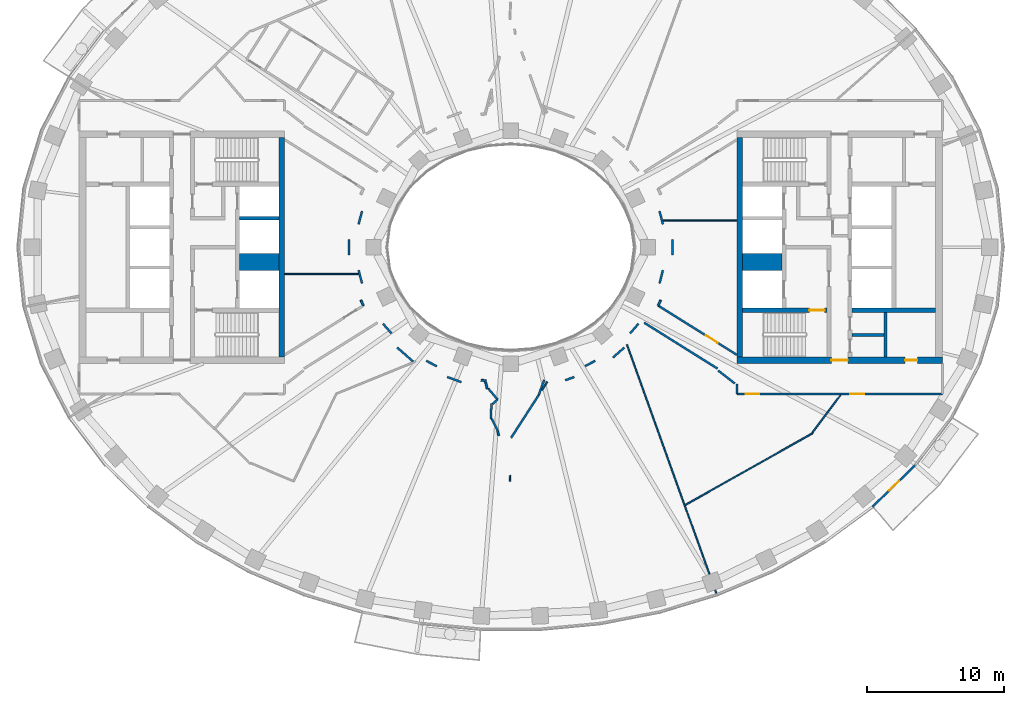
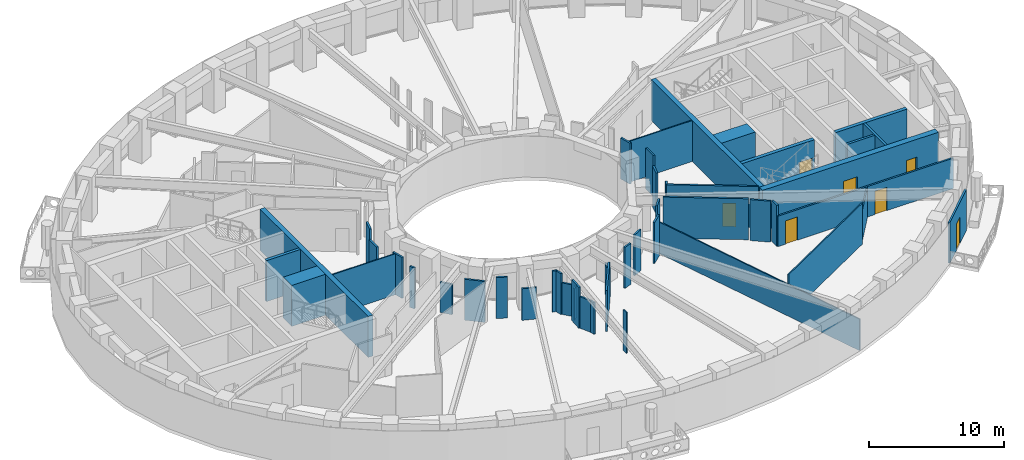
# One storey, part 4 of 16: 48 walls, 7 doors, 7 openings.
"""IFC4 building model written with IfcOpenShell, lengths in metres."""

from ifc_helpers import new_model, si_unit, direction, frame, frame_2d, origin, place, context, subcontext, project, spatial, rectangle, extrude, material, layer, layer_set, type_object, element, fill, save


model = new_model("IFC4")

# Units and contexts
model_context = context("Model", 3, precision=1e-05, world=origin(), true_north=direction((0.0, 1.0)))
body_context = subcontext(model_context, "Body", "Model", "MODEL_VIEW")
ifc_project = project(units=[si_unit("LENGTHUNIT", "METRE"), si_unit("AREAUNIT", "SQUARE_METRE"), si_unit("VOLUMEUNIT", "CUBIC_METRE"), si_unit("PLANEANGLEUNIT", "RADIAN"), si_unit("MASSUNIT", "GRAM", prefix="KILO")], contexts=[model_context])

# Site, building, storey
site_placement = place(None, origin())
site = spatial("IfcSite", under=ifc_project, at=site_placement, CompositionType="ELEMENT")
building_placement = place(site_placement, origin())
building = spatial("IfcBuilding", under=site, at=building_placement, Name="Noorbagh Ring Tower", CompositionType="ELEMENT")
storey_placement = place(building_placement, frame((0.0, 0.0, 154.0)))
storey = spatial("IfcBuildingStorey", under=building, at=storey_placement, Name="L35", CompositionType="ELEMENT", Elevation=154.0)

# Walls
ifc_material_1 = material(Name="Gypsum board on steel studs", Category="steel")
ifc_layer_1 = layer(ifc_material_1, 0.199951171875)
ifc_layer_set_1 = layer_set([ifc_layer_1], Name="Gypsum board on steel studs")
wall_type_1 = type_object("IfcWallType", Name="CORE-PARTITION-200", PredefinedType="PARTITIONING", material=ifc_layer_set_1)
wall_1_placement = place(storey_placement, frame((27.35009765625, -8.0, 0.0), z_axis=(0.0, 0.0, 1.0), x_axis=(0.0, 1.0, 0.0)))
element("IfcWall", 1, at=wall_1_placement, inside=storey, type_object=wall_type_1, Name="Core partition E", PredefinedType="PARTITIONING", context=body_context, shape_type="SweptSolid", body=[
    extrude(rectangle(XDim=3.25, YDim=0.199951171875, at=frame_2d((1.625, 0.0))), origin(), (0.0, 0.0, 1.0), 3.699951171875),
])
wall_2_placement = place(storey_placement, frame((24.89990234375, -6.39990234375, 0.0), z_axis=(0.0, 0.0, 1.0), x_axis=(1.0, 0.0, 0.0)))
element("IfcWall", 2, at=wall_2_placement, inside=storey, type_object=wall_type_1, Name="Core partition E", PredefinedType="PARTITIONING", context=body_context, shape_type="SweptSolid", body=[
    extrude(rectangle(XDim=2.35009765625, YDim=0.199951171875, at=frame_2d((1.175048828125, 0.0))), origin(), (0.0, 0.0, 1.0), 3.699951171875),
])
ifc_material_2 = material(Name="Concrete C60/75", Category="concrete")
ifc_layer_2 = layer(ifc_material_2, 1.25)
ifc_layer_set_2 = layer_set([ifc_layer_2], Name="Concrete C60/75")
wall_type_2 = type_object("IfcWallType", Name="CORE-WALL-1250-C60-75-EI120", PredefinedType="SHEAR", material=ifc_layer_set_2)
for number, where, z_axis, x_axis, name in (
    (3, (-16.89990234375, -1.074951171875, 0.0), (0.0, 0.0, 1.0), (-1.0, 0.0, 0.0), "Core wall W"),
    (4, (16.89990234375, -1.074951171875, 0.0), (0.0, 0.0, 1.0), (1.0, 0.0, 0.0), "Core wall E"),
):
    element("IfcWall", number, at=place(storey_placement, frame(where, z_axis=z_axis, x_axis=x_axis)), inside=storey, type_object=wall_type_2, Name=name, PredefinedType="SHEAR", context=body_context, shape_type="SweptSolid", body=[
        extrude(rectangle(XDim=2.900146484375, YDim=1.25, at=frame_2d((1.4501953125, 0.0))), origin(), (0.0, 0.0, 1.0), 3.699951171875),
    ])
ifc_material_3 = material(Name="Concrete C60/75", Category="concrete")
ifc_layer_3 = layer(ifc_material_3, 0.25)
ifc_layer_set_3 = layer_set([ifc_layer_3], Name="Concrete C60/75")
wall_type_3 = type_object("IfcWallType", Name="CORE-WALL-250-C60-75-EI120", PredefinedType="SHEAR", material=ifc_layer_set_3)
wall_3_placement = place(storey_placement, frame((-16.89990234375, 2.125, 0.0), z_axis=(0.0, 0.0, 1.0), x_axis=(-1.0, 0.0, 0.0)))
element("IfcWall", 5, at=wall_3_placement, inside=storey, type_object=wall_type_3, Name="Core wall W", PredefinedType="SHEAR", context=body_context, shape_type="SweptSolid", body=[
    extrude(rectangle(XDim=2.900146484375, YDim=0.25, at=frame_2d((1.4501953125, 0.0))), origin(), (0.0, 0.0, 1.0), 3.699951171875),
])
ifc_material_4 = material(Name="Concrete C60/75", Category="concrete")
ifc_layer_4 = layer(ifc_material_4, 0.300048828125)
ifc_layer_set_4 = layer_set([ifc_layer_4], Name="Concrete C60/75")
wall_type_4 = type_object("IfcWallType", Name="CORE-WALL-300-C60-75-EI240", PredefinedType="SHEAR", material=ifc_layer_set_4)
wall_4_placement = place(storey_placement, frame((24.89990234375, -4.60009765625, 0.0), z_axis=(0.0, 0.0, 1.0), x_axis=(1.0, 0.0, 0.0)))
element("IfcWall", 6, at=wall_4_placement, inside=storey, type_object=wall_type_4, Name="Core wall E", PredefinedType="SHEAR", context=body_context, shape_type="SweptSolid", body=[
    extrude(rectangle(XDim=6.10009765625, YDim=0.300048828125, at=frame_2d((3.050048828125, 0.0))), origin(), (0.0, 0.0, 1.0), 3.699951171875),
])

# Wall, opening, door
wall_5_placement = place(storey_placement, frame((16.89990234375, -4.60009765625, 0.0), z_axis=(0.0, 0.0, 1.0), x_axis=(1.0, 0.0, 0.0)))
wall_5 = element("IfcWall", 7, at=wall_5_placement, inside=storey, type_object=wall_type_4, Name="Core wall E", PredefinedType="SHEAR", context=body_context, shape_type="SweptSolid", body=[
    extrude(rectangle(XDim=6.18017578125, YDim=0.300048828125, at=frame_2d((3.090087890625, 0.0))), origin(), (0.0, 0.0, 1.0), 3.699951171875),
])
opening_1_placement = place(wall_5_placement, frame((4.89990234375, 0.0, 0.0)))
opening_1 = element("IfcOpeningElement", 8, at=opening_1_placement, cuts=wall_5, Name="Opening L35-CE08", PredefinedType="OPENING", context=body_context, shape_type="SweptSolid", body=[
    extrude(rectangle(XDim=1.10009765625, YDim=2.10009765625, at=frame_2d((0.550048828125, 1.050048828125))), frame((0.0, 0.16015625, 0.0), z_axis=(0.0, -1.0, 0.0), x_axis=(1.0, 0.0, 0.0)), (0.0, 0.0, 1.0), 0.320068359375),
])
ifc_material_5 = material(Name="Steel door leaf", Category="steel")
door_type_1 = type_object("IfcDoorType", Name="CORE-DOOR-DSTAIR", OperationType="SINGLE_SWING_LEFT", PredefinedType="DOOR", material=ifc_material_5)
door_1_placement = place(opening_1_placement, origin())
door_1 = element("IfcDoor", 9, at=door_1_placement, inside=storey, type_object=door_type_1, Name="Stair door ST4 L35-CE08", OperationType="SINGLE_SWING_RIGHT", OverallHeight=2.10009765625, OverallWidth=1.10009765625, PredefinedType="DOOR", context=body_context, shape_type="SweptSolid", body=[
    extrude(rectangle(XDim=1.10009765625, YDim=2.10009765625, at=frame_2d((0.550048828125, 1.050048828125))), frame((0.0, 0.02490234375, 0.0), z_axis=(0.0, -1.0, 0.0), x_axis=(1.0, 0.0, 0.0)), (0.0, 0.0, 1.0), 0.050048828125),
])
fill(opening_1, door_1)

# Walls
ifc_material_6 = material(Name="Concrete C60/75", Category="concrete")
ifc_layer_5 = layer(ifc_material_6, 0.39990234375)
ifc_layer_set_5 = layer_set([ifc_layer_5], Name="Concrete C60/75")
wall_type_5 = type_object("IfcWallType", Name="CORE-WALL-400-C60-75-EI240", PredefinedType="SHEAR", material=ifc_layer_set_5)
for number, where, z_axis, x_axis, name in (
    (10, (-16.699951171875, -8.0, 0.0), (0.0, 0.0, 1.0), (0.0, 1.0, 0.0), "Core wall W"),
    (11, (16.699951171875, -8.0, 0.0), (0.0, 0.0, 1.0), (0.0, 1.0, 0.0), "Core wall E"),
):
    element("IfcWall", number, at=place(storey_placement, frame(where, z_axis=z_axis, x_axis=x_axis)), inside=storey, type_object=wall_type_5, Name=name, PredefinedType="SHEAR", context=body_context, shape_type="SweptSolid", body=[
        extrude(rectangle(XDim=16.0, YDim=0.39990234375, at=frame_2d((8.0, 0.0))), origin(), (0.0, 0.0, 1.0), 3.699951171875),
    ])

# Wall, openings, doors
ifc_material_7 = material(Name="Concrete C60/75", Category="concrete")
ifc_layer_6 = layer(ifc_material_7, 0.5)
ifc_layer_set_6 = layer_set([ifc_layer_6], Name="Concrete C60/75")
wall_type_6 = type_object("IfcWallType", Name="CORE-WALL-500-C60-75-EI240", PredefinedType="SHEAR", material=ifc_layer_set_6)
wall_6_placement = place(storey_placement, frame((16.5, -8.25, 0.0), z_axis=(0.0, 0.0, 1.0), x_axis=(1.0, 0.0, 0.0)))
wall_6 = element("IfcWall", 12, at=wall_6_placement, inside=storey, type_object=wall_type_6, Name="Core wall E", PredefinedType="SHEAR", context=body_context, shape_type="SweptSolid", body=[
    extrude(rectangle(XDim=15.0, YDim=0.5, at=frame_2d((7.5, 0.0))), origin(), (0.0, 0.0, 1.0), 3.699951171875),
])
opening_2_placement = place(wall_6_placement, frame((6.89990234375, 0.0, 0.0)))
opening_2 = element("IfcOpeningElement", 13, at=opening_2_placement, cuts=wall_6, Name="Opening L35-CE12", PredefinedType="OPENING", context=body_context, shape_type="SweptSolid", body=[
    extrude(rectangle(XDim=1.199951171875, YDim=2.10009765625, at=frame_2d((0.60009765625, 1.050048828125))), frame((0.0, 0.260009765625, 0.0), z_axis=(0.0, -1.0, 0.0), x_axis=(1.0, 0.0, 0.0)), (0.0, 0.0, 1.0), 0.52001953125),
])
opening_3_placement = place(wall_6_placement, frame((12.27490234375, 0.0, 0.0)))
opening_3 = element("IfcOpeningElement", 14, at=opening_3_placement, cuts=wall_6, Name="Opening L35-CE17", PredefinedType="OPENING", context=body_context, shape_type="SweptSolid", body=[
    extrude(rectangle(XDim=0.89990234375, YDim=2.10009765625, at=frame_2d((0.449951171875, 1.050048828125))), frame((0.0, 0.260009765625, 0.0), z_axis=(0.0, -1.0, 0.0), x_axis=(1.0, 0.0, 0.0)), (0.0, 0.0, 1.0), 0.52001953125),
])
ifc_material_8 = material(Name="Steel door leaf", Category="steel")
door_type_2 = type_object("IfcDoorType", Name="CORE-DOOR-DROOM", OperationType="SINGLE_SWING_LEFT", PredefinedType="DOOR", material=ifc_material_8)
door_2_placement = place(opening_3_placement, origin())
door_2 = element("IfcDoor", 15, at=door_2_placement, inside=storey, type_object=door_type_2, Name="Core room door L35-CE17", OperationType="SINGLE_SWING_RIGHT", OverallHeight=2.10009765625, OverallWidth=0.89990234375, PredefinedType="DOOR", context=body_context, shape_type="SweptSolid", body=[
    extrude(rectangle(XDim=0.89990234375, YDim=2.10009765625, at=frame_2d((0.449951171875, 1.050048828125))), frame((0.0, 0.02490234375, 0.0), z_axis=(0.0, -1.0, 0.0), x_axis=(1.0, 0.0, 0.0)), (0.0, 0.0, 1.0), 0.050048828125),
])
fill(opening_3, door_2)
ifc_material_9 = material(Name="Steel door leaf", Category="steel")
door_type_3 = type_object("IfcDoorType", Name="CORE-DOOR-PORT", OperationType="DOUBLE_DOOR_DOUBLE_SWING", PredefinedType="DOOR", material=ifc_material_9)
door_3_placement = place(opening_2_placement, origin())
door_3 = element("IfcDoor", 16, at=door_3_placement, inside=storey, type_object=door_type_3, Name="Core entrance door L35-CE12", OperationType="DOUBLE_DOOR_DOUBLE_SWING", OverallHeight=2.10009765625, OverallWidth=1.199951171875, PredefinedType="DOOR", context=body_context, shape_type="SweptSolid", body=[
    extrude(rectangle(XDim=1.199951171875, YDim=2.10009765625, at=frame_2d((0.60009765625, 1.050048828125))), frame((0.0, 0.02490234375, 0.0), z_axis=(0.0, -1.0, 0.0), x_axis=(1.0, 0.0, 0.0)), (0.0, 0.0, 1.0), 0.050048828125),
])
fill(opening_2, door_3)

# Walls
ifc_material_10 = material(Name="Gypsum board on steel studs", Category="steel")
ifc_layer_7 = layer(ifc_material_10, 0.14990234375)
ifc_layer_set_7 = layer_set([ifc_layer_7], Name="Gypsum board on steel studs")
wall_type_7 = type_object("IfcWallType", Name="CORRIDOR PARTITION 150 EI 30", PredefinedType="PARTITIONING", material=ifc_layer_set_7)
wall_7_placement = place(storey_placement, frame((-11.80810546875, -0.550048828125, 0.0), z_axis=(0.0, 0.0, 1.0), x_axis=(0.0, 1.0, 0.0)))
element("IfcWall", 17, at=wall_7_placement, inside=storey, type_object=wall_type_7, Name="L35/wall/P34", PredefinedType="PARTITIONING", context=body_context, shape_type="SweptSolid", body=[
    extrude(rectangle(XDim=1.10009765625, YDim=0.14990234375, at=frame_2d((0.550048828125, 0.0))), origin(), (0.0, 0.0, 1.0), 3.699951171875),
])
for number, where, z_axis, x_axis, name in (
    (18, (-11.10595703125, -1.677001953125, 0.0), (0.0, 0.0, 1.0), (0.251541813796, -0.967846431988, 0.0), "L35/wall/P35"),
    (19, (-11.10595703125, 1.677001953125, 0.0), (0.0, 0.0, 1.0), (0.251541813796, 0.967846431988, 0.0), "L35/wall/P36"),
):
    element("IfcWall", number, at=place(storey_placement, frame(where, z_axis=z_axis, x_axis=x_axis)), inside=storey, type_object=wall_type_7, Name=name, PredefinedType="PARTITIONING", context=body_context, shape_type="SweptSolid", body=[
        extrude(rectangle(XDim=0.993896484375, YDim=0.14990234375, at=frame_2d((0.4970703125, 0.0))), origin(), (0.0, 0.0, 1.0), 3.699951171875),
    ])
wall_8_placement = place(storey_placement, frame((-10.93798828125, -3.863037109375, 0.0), z_axis=(0.0, 0.0, 1.0), x_axis=(0.429758433873, -0.90294390109, 0.0)))
element("IfcWall", 20, at=wall_8_placement, inside=storey, type_object=wall_type_7, Name="L35/wall/P37", PredefinedType="PARTITIONING", context=body_context, shape_type="SweptSolid", body=[
    extrude(rectangle(XDim=0.432861328125, YDim=0.14990234375, at=frame_2d((0.21630859375, 0.0))), origin(), (0.0, 0.0, 1.0), 3.699951171875),
])
wall_9_placement = place(storey_placement, frame((-9.324951171875, -5.576904296875, 0.0), z_axis=(0.0, 0.0, 1.0), x_axis=(0.656365478363, -0.754443078578, 0.0)))
element("IfcWall", 21, at=wall_9_placement, inside=storey, type_object=wall_type_7, Name="L35/wall/P40", PredefinedType="PARTITIONING", context=body_context, shape_type="SweptSolid", body=[
    extrude(rectangle(XDim=0.9384765625, YDim=0.14990234375, at=frame_2d((0.46923828125, 0.0))), origin(), (0.0, 0.0, 1.0), 2.75),
])
wall_10_placement = place(storey_placement, frame((-8.283935546875, -7.322021484375, 0.0), z_axis=(0.0, 0.0, 1.0), x_axis=(0.750666784408, -0.660680996235, 0.0)))
element("IfcWall", 22, at=wall_10_placement, inside=storey, type_object=wall_type_7, Name="L35/wall/P43", PredefinedType="PARTITIONING", context=body_context, shape_type="SweptSolid", body=[
    extrude(rectangle(XDim=1.5546875, YDim=0.14990234375, at=frame_2d((0.77734375, 0.0))), origin(), (0.0, 0.0, 1.0), 3.699951171875),
])
wall_11_placement = place(storey_placement, frame((-6.16796875, -8.287109375, 0.0), z_axis=(0.0, 0.0, 1.0), x_axis=(0.889307410814, -0.45730988298, 0.0)))
element("IfcWall", 23, at=wall_11_placement, inside=storey, type_object=wall_type_7, Name="L35/wall/P45", PredefinedType="PARTITIONING", context=body_context, shape_type="SweptSolid", body=[
    extrude(rectangle(XDim=0.8681640625, YDim=0.14990234375, at=frame_2d((0.43408203125, 0.0))), origin(), (0.0, 0.0, 1.0), 3.699951171875),
])
wall_12_placement = place(storey_placement, frame((-4.635986328125, -9.468017578125, 0.0), z_axis=(0.0, 0.0, 1.0), x_axis=(0.939117611585, -0.343595855054, 0.0)))
element("IfcWall", 24, at=wall_12_placement, inside=storey, type_object=wall_type_7, Name="L35/wall/P47", PredefinedType="PARTITIONING", context=body_context, shape_type="SweptSolid", body=[
    extrude(rectangle(XDim=1.099853515625, YDim=0.14990234375, at=frame_2d((0.5498046875, 0.0))), origin(), (0.0, 0.0, 1.0), 2.85009765625),
])
wall_13_placement = place(storey_placement, frame((-2.1640625, -9.696044921875, 0.0), z_axis=(0.0, 0.0, 1.0), x_axis=(0.988931681562, -0.148371591632, 0.0)))
element("IfcWall", 25, at=wall_13_placement, inside=storey, type_object=wall_type_7, Name="L35/wall/P49", PredefinedType="PARTITIONING", context=body_context, shape_type="SweptSolid", body=[
    extrude(rectangle(XDim=0.38330078125, YDim=0.14990234375, at=frame_2d((0.191650390625, 0.0))), origin(), (0.0, 0.0, 1.0), 3.699951171875),
])
wall_14_placement = place(storey_placement, frame((-1.845947265625, -9.820068359375, 0.0), z_axis=(0.0, 0.0, 1.0), x_axis=(0.238938442412, -0.971034716546, 0.0)))
element("IfcWall", 26, at=wall_14_placement, inside=storey, type_object=wall_type_7, Name="L35/wall/P51", PredefinedType="PARTITIONING", context=body_context, shape_type="SweptSolid", body=[
    extrude(rectangle(XDim=0.52734375, YDim=0.14990234375, at=frame_2d((0.263671875, 0.0))), origin(), (0.0, 0.0, 1.0), 3.699951171875),
])
wall_15_placement = place(storey_placement, frame((-1.64794921875, -10.303955078125, 0.0), z_axis=(0.0, 0.0, 1.0), x_axis=(0.645973255665, -0.763360041504, 0.0)))
element("IfcWall", 27, at=wall_15_placement, inside=storey, type_object=wall_type_7, Name="L35/wall/P54", PredefinedType="PARTITIONING", context=body_context, shape_type="SweptSolid", body=[
    extrude(rectangle(XDim=1.05859375, YDim=0.14990234375, at=frame_2d((0.529296875, 0.0))), origin(), (0.0, 0.0, 1.0), 2.85009765625),
])
wall_16_placement = place(storey_placement, frame((-1.458984375, -12.5380859375, 0.0), z_axis=(0.0, 0.0, 1.0), x_axis=(0.046585944542, 0.998914285498, 0.0)))
element("IfcWall", 28, at=wall_16_placement, inside=storey, type_object=wall_type_7, Name="L35/wall/P57", PredefinedType="PARTITIONING", context=body_context, shape_type="SweptSolid", body=[
    extrude(rectangle(XDim=1.13720703125, YDim=0.14990234375, at=frame_2d((0.568603515625, 0.0))), origin(), (0.0, 0.0, 1.0), 3.699951171875),
])
wall_17_placement = place(storey_placement, frame((-1.383056640625, -12.52197265625, 0.0), z_axis=(0.0, 0.0, 1.0), x_axis=(0.438959203915, -0.898506993461, 0.0)))
element("IfcWall", 29, at=wall_17_placement, inside=storey, type_object=wall_type_7, Name="L35/wall/P58", PredefinedType="PARTITIONING", context=body_context, shape_type="SweptSolid", body=[
    extrude(rectangle(XDim=0.925048828125, YDim=0.14990234375, at=frame_2d((0.46240234375, 0.0))), origin(), (0.0, 0.0, 1.0), 2.85009765625),
])
wall_18_placement = place(storey_placement, frame((-1.33203125, -11.43798828125, 0.0), z_axis=(0.0, 0.0, 1.0), x_axis=(0.74853182687, 0.663098864546, 0.0)))
element("IfcWall", 30, at=wall_18_placement, inside=storey, type_object=wall_type_7, Name="L35/wall/P60", PredefinedType="PARTITIONING", context=body_context, shape_type="SweptSolid", body=[
    extrude(rectangle(XDim=0.491455078125, YDim=0.14990234375, at=frame_2d((0.24560546875, 0.0))), origin(), (0.0, 0.0, 1.0), 2.85009765625),
])
wall_19_placement = place(storey_placement, frame((-0.965087890625, -13.385986328125, 0.0), z_axis=(0.0, 0.0, 1.0), x_axis=(0.241469221147, -0.970408478549, 0.0)))
element("IfcWall", 31, at=wall_19_placement, inside=storey, type_object=wall_type_7, Name="L35/wall/P61", PredefinedType="PARTITIONING", context=body_context, shape_type="SweptSolid", body=[
    extrude(rectangle(XDim=0.377197265625, YDim=0.14990234375, at=frame_2d((0.1884765625, 0.0))), origin(), (0.0, 0.0, 1.0), 2.85009765625),
])
wall_20_placement = place(storey_placement, frame((0.02294921875, -13.910888671875, 0.0), z_axis=(0.0, 0.0, 1.0), x_axis=(0.542332785189, 0.840163763864, 0.0)))
element("IfcWall", 32, at=wall_20_placement, inside=storey, type_object=wall_type_7, Name="L35/wall/P66", PredefinedType="PARTITIONING", context=body_context, shape_type="SweptSolid", body=[
    extrude(rectangle(XDim=3.7265625, YDim=0.14990234375, at=frame_2d((1.86328125, 0.0))), origin(), (0.0, 0.0, 1.0), 3.699951171875),
])
wall_21_placement = place(storey_placement, frame((2.0439453125, -10.780029296875, 0.0), z_axis=(0.0, 0.0, 1.0), x_axis=(0.338399406306, 0.941002572691, 0.0)))
element("IfcWall", 33, at=wall_21_placement, inside=storey, type_object=wall_type_7, Name="L35/wall/P70", PredefinedType="PARTITIONING", context=body_context, shape_type="SweptSolid", body=[
    extrude(rectangle(XDim=1.16162109375, YDim=0.14990234375, at=frame_2d((0.580810546875, 0.0))), origin(), (0.0, 0.0, 1.0), 2.85009765625),
])
wall_22_placement = place(storey_placement, frame((3.98291015625, -9.70703125, 0.0), z_axis=(0.0, 0.0, 1.0), x_axis=(0.939084167001, 0.343687252147, 0.0)))
element("IfcWall", 34, at=wall_22_placement, inside=storey, type_object=wall_type_7, Name="L35/wall/P75", PredefinedType="PARTITIONING", context=body_context, shape_type="SweptSolid", body=[
    extrude(rectangle(XDim=0.695556640625, YDim=0.14990234375, at=frame_2d((0.34765625, 0.0))), origin(), (0.0, 0.0, 1.0), 3.699951171875),
])
wall_23_placement = place(storey_placement, frame((5.4169921875, -8.673095703125, 0.0), z_axis=(0.0, 0.0, 1.0), x_axis=(0.889398654128, 0.457132403178, 0.0)))
element("IfcWall", 35, at=wall_23_placement, inside=storey, type_object=wall_type_7, Name="L35/wall/P77", PredefinedType="PARTITIONING", context=body_context, shape_type="SweptSolid", body=[
    extrude(rectangle(XDim=0.844482421875, YDim=0.14990234375, at=frame_2d((0.42236328125, 0.0))), origin(), (0.0, 0.0, 1.0), 3.699951171875),
])
wall_24_placement = place(storey_placement, frame((7.4580078125, -8.049072265625, 0.0), z_axis=(0.0, 0.0, 1.0), x_axis=(0.75060787095, 0.660747927782, 0.0)))
element("IfcWall", 36, at=wall_24_placement, inside=storey, type_object=wall_type_7, Name="L35/wall/P78", PredefinedType="PARTITIONING", context=body_context, shape_type="SweptSolid", body=[
    extrude(rectangle(XDim=1.100341796875, YDim=0.14990234375, at=frame_2d((0.55029296875, 0.0))), origin(), (0.0, 0.0, 1.0), 3.699951171875),
])
wall_25_placement = place(storey_placement, frame((8.708984375, -6.284912109375, 0.0), z_axis=(0.0, 0.0, 1.0), x_axis=(0.656365478363, 0.754443078578, 0.0)))
element("IfcWall", 37, at=wall_25_placement, inside=storey, type_object=wall_type_7, Name="L35/wall/P82", PredefinedType="PARTITIONING", context=body_context, shape_type="SweptSolid", body=[
    extrude(rectangle(XDim=0.9384765625, YDim=0.14990234375, at=frame_2d((0.46923828125, 0.0))), origin(), (0.0, 0.0, 1.0), 3.699951171875),
])
wall_26_placement = place(storey_placement, frame((9.736083984375, -5.5048828125, 0.0), z_axis=(0.0, 0.0, 1.0), x_axis=(0.847611500167, -0.53061732424, 0.0)))
element("IfcWall", 38, at=wall_26_placement, inside=storey, type_object=wall_type_7, Name="L35/wall/P84", PredefinedType="PARTITIONING", context=body_context, shape_type="SweptSolid", body=[
    extrude(rectangle(XDim=6.3154296875, YDim=0.14990234375, at=frame_2d((3.15771484375, 0.0))), origin(), (0.0, 0.0, 1.0), 3.699951171875),
])
wall_27_placement = place(storey_placement, frame((10.751953125, -4.25390625, 0.0), z_axis=(0.0, 0.0, 1.0), x_axis=(0.429758433873, 0.90294390109, 0.0)))
element("IfcWall", 39, at=wall_27_placement, inside=storey, type_object=wall_type_7, Name="L35/wall/P86", PredefinedType="PARTITIONING", context=body_context, shape_type="SweptSolid", body=[
    extrude(rectangle(XDim=0.432861328125, YDim=0.14990234375, at=frame_2d((0.21630859375, 0.0))), origin(), (0.0, 0.0, 1.0), 3.699951171875),
])

# Wall, opening, door
wall_28_placement = place(storey_placement, frame((10.751953125, -4.25390625, 0.0), z_axis=(0.0, 0.0, 1.0), x_axis=(0.847690706888, -0.530490777917, 0.0)))
wall_28 = element("IfcWall", 40, at=wall_28_placement, inside=storey, type_object=wall_type_7, Name="L35/wall/P87", PredefinedType="PARTITIONING", context=body_context, shape_type="SweptSolid", body=[
    extrude(rectangle(XDim=6.78076171875, YDim=0.14990234375, at=frame_2d((3.390380859375, 0.0))), origin(), (0.0, 0.0, 1.0), 3.699951171875),
])
opening_4_placement = place(wall_28_placement, frame((4.12939453125, 0.0, 0.0)))
opening_4 = element("IfcOpeningElement", 41, at=opening_4_placement, cuts=wall_28, Name="Opening D1", PredefinedType="OPENING", context=body_context, shape_type="SweptSolid", body=[
    extrude(rectangle(XDim=1.0, YDim=2.10009765625, at=frame_2d((0.5, 1.050048828125))), frame((0.0, 0.0849609375, 0.0), z_axis=(0.0, -1.0, 0.0), x_axis=(1.0, 0.0, 0.0)), (0.0, 0.0, 1.0), 0.169921875),
])
ifc_material_11 = material(Name="Timber, painted", Category="wood")
door_type_4 = type_object("IfcDoorType", Name="DOOR 1000 X 2100 FD30", OperationType="SINGLE_SWING_LEFT", PredefinedType="DOOR", material=ifc_material_11)
door_4_placement = place(opening_4_placement, origin())
door_4 = element("IfcDoor", 42, at=door_4_placement, inside=storey, type_object=door_type_4, Name="L35-D17", OperationType="SINGLE_SWING_LEFT", OverallHeight=2.10009765625, OverallWidth=1.0, PredefinedType="DOOR", context=body_context, shape_type="SweptSolid", body=[
    extrude(rectangle(XDim=1.0, YDim=2.10009765625, at=frame_2d((0.5, 1.050048828125))), frame((0.0, 0.02490234375, 0.0), z_axis=(0.0, -1.0, 0.0), x_axis=(1.0, 0.0, 0.0)), (0.0, 0.0, 1.0), 0.050048828125),
])
fill(opening_4, door_4)

# Walls
for number, where, z_axis, x_axis, name in (
    (43, (10.85595703125, -2.638916015625, 0.0), (0.0, 0.0, 1.0), (0.251541813796, 0.967846431988, 0.0), "L35/wall/P90"),
    (44, (10.85595703125, 2.638916015625, 0.0), (0.0, 0.0, 1.0), (0.251541813796, -0.967846431988, 0.0), "L35/wall/P91"),
):
    element("IfcWall", number, at=place(storey_placement, frame(where, z_axis=z_axis, x_axis=x_axis)), inside=storey, type_object=wall_type_7, Name=name, PredefinedType="PARTITIONING", context=body_context, shape_type="SweptSolid", body=[
        extrude(rectangle(XDim=0.993896484375, YDim=0.14990234375, at=frame_2d((0.4970703125, 0.0))), origin(), (0.0, 0.0, 1.0), 3.699951171875),
    ])
wall_29_placement = place(storey_placement, frame((11.80810546875, -0.550048828125, 0.0), z_axis=(0.0, 0.0, 1.0), x_axis=(0.0, 1.0, 0.0)))
element("IfcWall", 45, at=wall_29_placement, inside=storey, type_object=wall_type_7, Name="L35/wall/P93", PredefinedType="PARTITIONING", context=body_context, shape_type="SweptSolid", body=[
    extrude(rectangle(XDim=1.10009765625, YDim=0.14990234375, at=frame_2d((0.550048828125, 0.0))), origin(), (0.0, 0.0, 1.0), 3.699951171875),
])
wall_30_placement = place(storey_placement, frame((16.5, -10.699951171875, 0.0), z_axis=(0.0, 0.0, 1.0), x_axis=(0.0, 1.0, 0.0)))
element("IfcWall", 46, at=wall_30_placement, inside=storey, type_object=wall_type_7, Name="L35/wall/P95", PredefinedType="PARTITIONING", context=body_context, shape_type="SweptSolid", body=[
    extrude(rectangle(XDim=0.73583984375, YDim=0.14990234375, at=frame_2d((0.367919921875, 0.0))), origin(), (0.0, 0.0, 1.0), 3.699951171875),
])

# Wall, openings, doors
wall_31_placement = place(storey_placement, frame((16.5, -10.699951171875, 0.0), z_axis=(0.0, 0.0, 1.0), x_axis=(1.0, 0.0, 0.0)))
wall_31 = element("IfcWall", 47, at=wall_31_placement, inside=storey, type_object=wall_type_7, Name="L35/wall/P96", PredefinedType="PARTITIONING", context=body_context, shape_type="SweptSolid", body=[
    extrude(rectangle(XDim=15.0, YDim=0.14990234375, at=frame_2d((7.5, 0.0))), origin(), (0.0, 0.0, 1.0), 2.75),
])
opening_5_placement = place(wall_31_placement, frame((0.64990234375, 0.0, 0.0)))
opening_5 = element("IfcOpeningElement", 48, at=opening_5_placement, cuts=wall_31, Name="Opening D1", PredefinedType="OPENING", context=body_context, shape_type="SweptSolid", body=[
    extrude(rectangle(XDim=1.0, YDim=2.10009765625, at=frame_2d((0.5, 1.050048828125))), frame((0.0, 0.0849609375, 0.0), z_axis=(0.0, -1.0, 0.0), x_axis=(1.0, 0.0, 0.0)), (0.0, 0.0, 1.0), 0.169921875),
])
opening_6_placement = place(wall_31_placement, frame((8.282958984375, 0.0, 0.0)))
opening_6 = element("IfcOpeningElement", 49, at=opening_6_placement, cuts=wall_31, Name="Opening D1", PredefinedType="OPENING", context=body_context, shape_type="SweptSolid", body=[
    extrude(rectangle(XDim=1.0, YDim=2.10009765625, at=frame_2d((0.5, 1.050048828125))), frame((0.0, 0.0849609375, 0.0), z_axis=(0.0, -1.0, 0.0), x_axis=(1.0, 0.0, 0.0)), (0.0, 0.0, 1.0), 0.169921875),
])
door_5_placement = place(opening_5_placement, origin())
door_5 = element("IfcDoor", 50, at=door_5_placement, inside=storey, type_object=door_type_4, Name="L35-D11", OperationType="SINGLE_SWING_LEFT", OverallHeight=2.10009765625, OverallWidth=1.0, PredefinedType="DOOR", context=body_context, shape_type="SweptSolid", body=[
    extrude(rectangle(XDim=1.0, YDim=2.10009765625, at=frame_2d((0.5, 1.050048828125))), frame((0.0, 0.02490234375, 0.0), z_axis=(0.0, -1.0, 0.0), x_axis=(1.0, 0.0, 0.0)), (0.0, 0.0, 1.0), 0.050048828125),
])
fill(opening_5, door_5)
door_6_placement = place(opening_6_placement, origin())
door_6 = element("IfcDoor", 51, at=door_6_placement, inside=storey, type_object=door_type_4, Name="L35-D13", OperationType="SINGLE_SWING_LEFT", OverallHeight=2.10009765625, OverallWidth=1.0, PredefinedType="DOOR", context=body_context, shape_type="SweptSolid", body=[
    extrude(rectangle(XDim=1.0, YDim=2.10009765625, at=frame_2d((0.5, 1.050048828125))), frame((0.0, 0.02490234375, 0.0), z_axis=(0.0, -1.0, 0.0), x_axis=(1.0, 0.0, 0.0)), (0.0, 0.0, 1.0), 0.050048828125),
])
fill(opening_6, door_6)

# Wall
wall_32_placement = place(storey_placement, frame((16.35205078125, -9.94189453125, 0.0), z_axis=(0.0, 0.0, 1.0), x_axis=(-0.788950226826, 0.614457109643, 0.0)))
element("IfcWall", 52, at=wall_32_placement, inside=storey, type_object=wall_type_7, Name="L35/wall/P106", PredefinedType="PARTITIONING", context=body_context, shape_type="SweptSolid", body=[
    extrude(rectangle(XDim=1.53759765625, YDim=0.14990234375, at=frame_2d((0.768798828125, 0.0))), origin(), (0.0, 0.0, 1.0), 3.699951171875),
])

# Wall, opening, door
ifc_material_12 = material(Name="Insulated aluminium clad panel", Category="aluminium")
ifc_layer_8 = layer(ifc_material_12, 0.14990234375)
ifc_layer_set_8 = layer_set([ifc_layer_8], Name="Insulated aluminium clad panel")
wall_type_8 = type_object("IfcWallType", Name="ENV-WALL-DOOR", PredefinedType="STANDARD", material=ifc_layer_set_8)
wall_33_placement = place(storey_placement, frame((26.396484375, -18.943359375, 0.0), z_axis=(0.0, 0.0, 1.0), x_axis=(0.717214761864, 0.696852197647, 0.0)))
wall_33 = element("IfcWall", 53, at=wall_33_placement, inside=storey, type_object=wall_type_8, Name="Balcony door wall chord 42", PredefinedType="STANDARD", context=body_context, shape_type="SweptSolid", body=[
    extrude(rectangle(XDim=4.424072265625, YDim=0.14990234375, at=frame_2d((2.2119140625, 0.0))), origin(), (0.0, 0.0, 1.0), 3.699951171875),
])
opening_7_placement = place(wall_33_placement, frame((1.712158203125, 0.0, 0.0)))
opening_7 = element("IfcOpeningElement", 54, at=opening_7_placement, cuts=wall_33, Name="Opening D-BL", PredefinedType="OPENING", context=body_context, shape_type="SweptSolid", body=[
    extrude(rectangle(XDim=1.0, YDim=2.39990234375, at=frame_2d((0.5, 1.199951171875))), frame((0.0, 0.0849609375, 0.0), z_axis=(0.0, -1.0, 0.0), x_axis=(1.0, 0.0, 0.0)), (0.0, 0.0, 1.0), 0.169921875),
])
ifc_material_13 = material(Name="Aluminium and glass", Category="aluminium")
door_type_5 = type_object("IfcDoorType", Name="ENV-DOOR-BALCONY", OperationType="SINGLE_SWING_LEFT", PredefinedType="DOOR", material=ifc_material_13)
door_7_placement = place(opening_7_placement, origin())
door_7 = element("IfcDoor", 55, at=door_7_placement, inside=storey, type_object=door_type_5, Name="Balcony door chord 42", OperationType="SINGLE_SWING_RIGHT", OverallHeight=2.39990234375, OverallWidth=1.0, PredefinedType="DOOR", context=body_context, shape_type="SweptSolid", body=[
    extrude(rectangle(XDim=1.0, YDim=2.39990234375, at=frame_2d((0.5, 1.199951171875))), frame((0.0, 0.02490234375, 0.0), z_axis=(0.0, -1.0, 0.0), x_axis=(1.0, 0.0, 0.0)), (0.0, 0.0, 1.0), 0.050048828125),
])
fill(opening_7, door_7)

# Walls
ifc_material_14 = material(Name="Gypsum board on steel studs", Category="steel")
ifc_layer_9 = layer(ifc_material_14, 0.10009765625)
ifc_layer_set_9 = layer_set([ifc_layer_9], Name="Gypsum board on steel studs")
wall_type_9 = type_object("IfcWallType", Name="PARTITION 100 GYPSUM", PredefinedType="PARTITIONING", material=ifc_layer_set_9)
wall_34_placement = place(storey_placement, frame((-16.5, -1.951904296875, 0.0), z_axis=(0.0, 0.0, 1.0), x_axis=(1.0, 0.0, 0.0)))
element("IfcWall", 56, at=wall_34_placement, inside=storey, type_object=wall_type_9, Name="L35/wall/P23", PredefinedType="PARTITIONING", context=body_context, shape_type="SweptSolid", body=[
    extrude(rectangle(XDim=5.384033203125, YDim=0.10009765625, at=frame_2d((2.69189453125, 0.0))), origin(), (0.0, 0.0, 1.0), 3.699951171875),
])
wall_35_placement = place(storey_placement, frame((-0.069091796875, -16.657958984375, 0.0), z_axis=(0.0, 0.0, 1.0), x_axis=(0.047263912187, -0.998882436829, 0.0)))
element("IfcWall", 57, at=wall_35_placement, inside=storey, type_object=wall_type_9, Name="L35/wall/P63", PredefinedType="PARTITIONING", context=body_context, shape_type="SweptSolid", body=[
    extrude(rectangle(XDim=0.423583984375, YDim=0.10009765625, at=frame_2d((0.2119140625, 0.0))), origin(), (0.0, 0.0, 1.0), 3.699951171875),
])
wall_36_placement = place(storey_placement, frame((2.27197265625, -10.427001953125, 0.0), z_axis=(0.0, 0.0, 1.0), x_axis=(0.542357038302, 0.840148107779, 0.0)))
element("IfcWall", 58, at=wall_36_placement, inside=storey, type_object=wall_type_9, Name="L35/wall/P71", PredefinedType="PARTITIONING", context=body_context, shape_type="SweptSolid", body=[
    extrude(rectangle(XDim=0.724853515625, YDim=0.10009765625, at=frame_2d((0.3623046875, 0.0))), origin(), (0.0, 0.0, 1.0), 2.85009765625),
])
wall_37_placement = place(storey_placement, frame((8.47705078125, -7.111083984375, 0.0), z_axis=(0.0, 0.0, 1.0), x_axis=(0.338406456341, -0.941000037357, 0.0)))
element("IfcWall", 59, at=wall_37_placement, inside=storey, type_object=wall_type_9, Name="L35/wall/P80", PredefinedType="PARTITIONING", context=body_context, shape_type="SweptSolid", body=[
    extrude(rectangle(XDim=19.417724609375, YDim=0.10009765625, at=frame_2d((9.708984375, 0.0))), origin(), (0.0, 0.0, 1.0), 2.85009765625),
])
wall_38_placement = place(storey_placement, frame((11.115966796875, 1.951904296875, 0.0), z_axis=(0.0, 0.0, 1.0), x_axis=(1.0, 0.0, 0.0)))
element("IfcWall", 60, at=wall_38_placement, inside=storey, type_object=wall_type_9, Name="L35/wall/P92", PredefinedType="PARTITIONING", context=body_context, shape_type="SweptSolid", body=[
    extrude(rectangle(XDim=5.384033203125, YDim=0.10009765625, at=frame_2d((2.69189453125, 0.0))), origin(), (0.0, 0.0, 1.0), 3.699951171875),
])
wall_39_placement = place(storey_placement, frame((12.737060546875, -18.80908203125, 0.0), z_axis=(0.0, 0.0, 1.0), x_axis=(0.871198990541, 0.490930054978, 0.0)))
element("IfcWall", 61, at=wall_39_placement, inside=storey, type_object=wall_type_9, Name="L35/wall/P94", PredefinedType="PARTITIONING", context=body_context, shape_type="SweptSolid", body=[
    extrude(rectangle(XDim=10.673583984375, YDim=0.10009765625, at=frame_2d((5.3369140625, 0.0))), origin(), (0.0, 0.0, 1.0), 3.699951171875),
])
wall_40_placement = place(storey_placement, frame((22.001953125, -13.530029296875, 0.0), z_axis=(0.0, 0.0, 1.0), x_axis=(0.602805050744, 0.797888507749, 0.0)))
element("IfcWall", 62, at=wall_40_placement, inside=storey, type_object=wall_type_9, Name="L35/wall/P99", PredefinedType="PARTITIONING", context=body_context, shape_type="SweptSolid", body=[
    extrude(rectangle(XDim=3.448974609375, YDim=0.10009765625, at=frame_2d((1.724609375, 0.0))), origin(), (0.0, 0.0, 1.0), 2.75),
])

save(model, "model.ifc")
